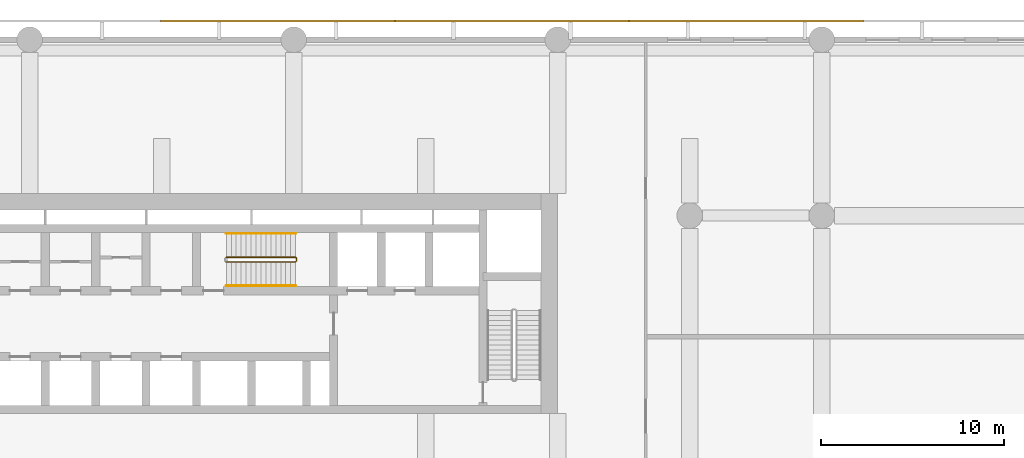
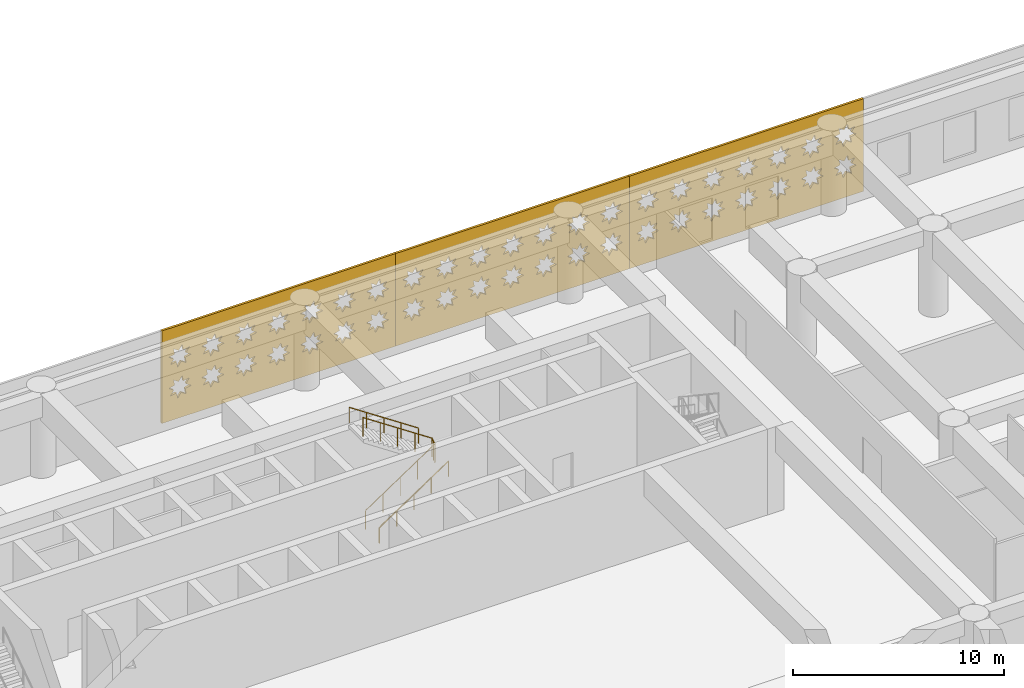
# One storey, part 23 of 24: 3 coverings, 3 railings.
"""IFC4 building model written with IfcOpenShell, lengths in metres."""

from ifc_helpers import new_model, si_unit, direction, frame, origin, origin_2d, place, context, subcontext, project, spatial, polyline, circle, outline, extrude, material, layer, layer_set, type_object, element, save


model = new_model("IFC4")

# Units and contexts
model_context = context("Model", 3, precision=1e-05, world=origin(), true_north=direction((0.0, 1.0)))
body_context = subcontext(model_context, "Body", "Model", "MODEL_VIEW")
ifc_project = project(units=[si_unit("LENGTHUNIT", "METRE"), si_unit("AREAUNIT", "SQUARE_METRE"), si_unit("VOLUMEUNIT", "CUBIC_METRE"), si_unit("PLANEANGLEUNIT", "RADIAN"), si_unit("MASSUNIT", "GRAM", prefix="KILO")], contexts=[model_context])

# Site, building, storey
site_placement = place(None, origin())
site = spatial("IfcSite", under=ifc_project, at=site_placement, CompositionType="ELEMENT")
building_placement = place(site_placement, origin())
building = spatial("IfcBuilding", under=site, at=building_placement, Name="Saffron Iwan Residences", CompositionType="ELEMENT")
storey_placement = place(building_placement, frame((0.0, 0.0, 21.60009765625)))
storey = spatial("IfcBuildingStorey", under=building, at=storey_placement, Name="L04", CompositionType="ELEMENT", Elevation=21.60009765625)

# Coverings
ifc_material_1 = material(Name="Terracotta screen, precast concrete C40/50", Category="masonry")
ifc_layer = layer(ifc_material_1, 0.1201171875)
ifc_layer_set = layer_set([ifc_layer], Name="Terracotta screen, precast concrete C40/50")
covering_type = type_object("IfcCoveringType", Name="PODIUM SCREEN GIRIH", PredefinedType="CLADDING", material=ifc_layer_set)
covering_1_placement = place(storey_placement, frame((88.672607421875, 87.35009765625, -0.400146484375), z_axis=(0.0, 1.0, 0.0), x_axis=(-1.0, 0.0, 0.0)))
element("IfcCovering", 1, at=covering_1_placement, inside=storey, type_object=covering_type, Name="SCREEN girih terracotta L04 F2.1", PredefinedType="CLADDING", context=body_context, shape_type="SweptSolid", body=[
    extrude(outline(polyline([(0.0, 0.0), (12.777587890625, 0.0), (12.777587890625, 5.35009765625), (0.0, 5.35009765625), (0.0, 0.0)]), holes=[polyline([(1.5966796875, 1.89599609375), (1.271484375, 1.9638671875), (1.333251953125, 2.29052734375), (1.05517578125, 2.1083984375), (0.867919921875, 2.383056640625), (0.7998046875, 2.0576171875), (0.47314453125, 2.119384765625), (0.6552734375, 1.84130859375), (0.380615234375, 1.654052734375), (0.7060546875, 1.586181640625), (0.644287109375, 1.259521484375), (0.92236328125, 1.44140625), (1.109619140625, 1.1669921875), (1.177490234375, 1.4921875), (1.50439453125, 1.430419921875), (1.322265625, 1.708740234375), (1.5966796875, 1.89599609375)]), polyline([(1.5966796875, 3.696044921875), (1.271484375, 3.763916015625), (1.333251953125, 4.090576171875), (1.05517578125, 3.908447265625), (0.867919921875, 4.18310546875), (0.7998046875, 3.857666015625), (0.47314453125, 3.91943359375), (0.6552734375, 3.641357421875), (0.380615234375, 3.4541015625), (0.7060546875, 3.385986328125), (0.644287109375, 3.0595703125), (0.92236328125, 3.241455078125), (1.109619140625, 2.966796875), (1.177490234375, 3.292236328125), (1.50439453125, 3.23046875), (1.322265625, 3.5087890625), (1.5966796875, 3.696044921875)]), polyline([(3.396728515625, 1.89599609375), (3.0712890625, 1.9638671875), (3.13330078125, 2.29052734375), (2.85498046875, 2.1083984375), (2.667724609375, 2.383056640625), (2.599853515625, 2.0576171875), (2.273193359375, 2.119384765625), (2.455322265625, 1.84130859375), (2.1806640625, 1.654052734375), (2.506103515625, 1.586181640625), (2.4443359375, 1.259521484375), (2.722412109375, 1.44140625), (2.90966796875, 1.1669921875), (2.9775390625, 1.4921875), (3.30419921875, 1.430419921875), (3.122314453125, 1.708740234375), (3.396728515625, 1.89599609375)]), polyline([(3.396728515625, 3.696044921875), (3.0712890625, 3.763916015625), (3.13330078125, 4.090576171875), (2.85498046875, 3.908447265625), (2.667724609375, 4.18310546875), (2.599853515625, 3.857666015625), (2.273193359375, 3.91943359375), (2.455322265625, 3.641357421875), (2.1806640625, 3.4541015625), (2.506103515625, 3.385986328125), (2.4443359375, 3.0595703125), (2.722412109375, 3.241455078125), (2.90966796875, 2.966796875), (2.9775390625, 3.292236328125), (3.30419921875, 3.23046875), (3.122314453125, 3.5087890625), (3.396728515625, 3.696044921875)]), polyline([(5.19677734375, 1.89599609375), (4.871337890625, 1.9638671875), (4.93310546875, 2.29052734375), (4.655029296875, 2.1083984375), (4.4677734375, 2.383056640625), (4.39990234375, 2.0576171875), (4.0732421875, 2.119384765625), (4.25537109375, 1.84130859375), (3.980712890625, 1.654052734375), (4.30615234375, 1.586181640625), (4.244384765625, 1.259521484375), (4.5224609375, 1.44140625), (4.709716796875, 1.1669921875), (4.777587890625, 1.4921875), (5.104248046875, 1.430419921875), (4.922119140625, 1.708740234375), (5.19677734375, 1.89599609375)]), polyline([(5.19677734375, 3.696044921875), (4.871337890625, 3.763916015625), (4.93310546875, 4.090576171875), (4.655029296875, 3.908447265625), (4.4677734375, 4.18310546875), (4.39990234375, 3.857666015625), (4.0732421875, 3.91943359375), (4.25537109375, 3.641357421875), (3.980712890625, 3.4541015625), (4.30615234375, 3.385986328125), (4.244384765625, 3.0595703125), (4.5224609375, 3.241455078125), (4.709716796875, 2.966796875), (4.777587890625, 3.292236328125), (5.104248046875, 3.23046875), (4.922119140625, 3.5087890625), (5.19677734375, 3.696044921875)]), polyline([(6.996826171875, 1.89599609375), (6.67138671875, 1.9638671875), (6.733154296875, 2.29052734375), (6.455078125, 2.1083984375), (6.267822265625, 2.383056640625), (6.199951171875, 2.0576171875), (5.873291015625, 2.119384765625), (6.055419921875, 1.84130859375), (5.78076171875, 1.654052734375), (6.106201171875, 1.586181640625), (6.044189453125, 1.259521484375), (6.322509765625, 1.44140625), (6.509765625, 1.1669921875), (6.57763671875, 1.4921875), (6.904296875, 1.430419921875), (6.72216796875, 1.708740234375), (6.996826171875, 1.89599609375)]), polyline([(6.996826171875, 3.696044921875), (6.67138671875, 3.763916015625), (6.733154296875, 4.090576171875), (6.455078125, 3.908447265625), (6.267822265625, 4.18310546875), (6.199951171875, 3.857666015625), (5.873291015625, 3.91943359375), (6.055419921875, 3.641357421875), (5.78076171875, 3.4541015625), (6.106201171875, 3.385986328125), (6.044189453125, 3.0595703125), (6.322509765625, 3.241455078125), (6.509765625, 2.966796875), (6.57763671875, 3.292236328125), (6.904296875, 3.23046875), (6.72216796875, 3.5087890625), (6.996826171875, 3.696044921875)]), polyline([(8.796875, 1.89599609375), (8.471435546875, 1.9638671875), (8.533203125, 2.29052734375), (8.255126953125, 2.1083984375), (8.06787109375, 2.383056640625), (8.0, 2.0576171875), (7.673095703125, 2.119384765625), (7.855224609375, 1.84130859375), (7.580810546875, 1.654052734375), (7.906005859375, 1.586181640625), (7.84423828125, 1.259521484375), (8.122314453125, 1.44140625), (8.309814453125, 1.1669921875), (8.377685546875, 1.4921875), (8.704345703125, 1.430419921875), (8.522216796875, 1.708740234375), (8.796875, 1.89599609375)]), polyline([(8.796875, 3.696044921875), (8.471435546875, 3.763916015625), (8.533203125, 4.090576171875), (8.255126953125, 3.908447265625), (8.06787109375, 4.18310546875), (8.0, 3.857666015625), (7.673095703125, 3.91943359375), (7.855224609375, 3.641357421875), (7.580810546875, 3.4541015625), (7.906005859375, 3.385986328125), (7.84423828125, 3.0595703125), (8.122314453125, 3.241455078125), (8.309814453125, 2.966796875), (8.377685546875, 3.292236328125), (8.704345703125, 3.23046875), (8.522216796875, 3.5087890625), (8.796875, 3.696044921875)]), polyline([(10.5966796875, 1.89599609375), (10.271484375, 1.9638671875), (10.333251953125, 2.29052734375), (10.05517578125, 2.1083984375), (9.867919921875, 2.383056640625), (9.7998046875, 2.0576171875), (9.47314453125, 2.119384765625), (9.6552734375, 1.84130859375), (9.380615234375, 1.654052734375), (9.7060546875, 1.586181640625), (9.644287109375, 1.259521484375), (9.92236328125, 1.44140625), (10.109619140625, 1.1669921875), (10.177490234375, 1.4921875), (10.50439453125, 1.430419921875), (10.322265625, 1.708740234375), (10.5966796875, 1.89599609375)]), polyline([(10.5966796875, 3.696044921875), (10.271484375, 3.763916015625), (10.333251953125, 4.090576171875), (10.05517578125, 3.908447265625), (9.867919921875, 4.18310546875), (9.7998046875, 3.857666015625), (9.47314453125, 3.91943359375), (9.6552734375, 3.641357421875), (9.380615234375, 3.4541015625), (9.7060546875, 3.385986328125), (9.644287109375, 3.0595703125), (9.92236328125, 3.241455078125), (10.109619140625, 2.966796875), (10.177490234375, 3.292236328125), (10.50439453125, 3.23046875), (10.322265625, 3.5087890625), (10.5966796875, 3.696044921875)]), polyline([(12.396728515625, 1.89599609375), (12.0712890625, 1.9638671875), (12.13330078125, 2.29052734375), (11.85498046875, 2.1083984375), (11.667724609375, 2.383056640625), (11.599853515625, 2.0576171875), (11.273193359375, 2.119384765625), (11.455322265625, 1.84130859375), (11.1806640625, 1.654052734375), (11.506103515625, 1.586181640625), (11.4443359375, 1.259521484375), (11.722412109375, 1.44140625), (11.90966796875, 1.1669921875), (11.9775390625, 1.4921875), (12.30419921875, 1.430419921875), (12.122314453125, 1.708740234375), (12.396728515625, 1.89599609375)]), polyline([(12.396728515625, 3.696044921875), (12.0712890625, 3.763916015625), (12.13330078125, 4.090576171875), (11.85498046875, 3.908447265625), (11.667724609375, 4.18310546875), (11.599853515625, 3.857666015625), (11.273193359375, 3.91943359375), (11.455322265625, 3.641357421875), (11.1806640625, 3.4541015625), (11.506103515625, 3.385986328125), (11.4443359375, 3.0595703125), (11.722412109375, 3.241455078125), (11.90966796875, 2.966796875), (11.9775390625, 3.292236328125), (12.30419921875, 3.23046875), (12.122314453125, 3.5087890625), (12.396728515625, 3.696044921875)])]), origin(), (0.0, 0.0, 1.0), 0.119873046875),
])
covering_2_placement = place(storey_placement, frame((75.89501953125, 87.35009765625, -0.400146484375), z_axis=(0.0, 1.0, 0.0), x_axis=(-1.0, 0.0, 0.0)))
element("IfcCovering", 2, at=covering_2_placement, inside=storey, type_object=covering_type, Name="SCREEN girih terracotta L04 F2.2", PredefinedType="CLADDING", context=body_context, shape_type="SweptSolid", body=[
    extrude(outline(polyline([(0.0, 0.0), (12.777587890625, 0.0), (12.777587890625, 5.35009765625), (0.0, 5.35009765625), (0.0, 0.0)]), holes=[polyline([(1.5966796875, 1.89599609375), (1.271484375, 1.9638671875), (1.333251953125, 2.29052734375), (1.05517578125, 2.1083984375), (0.867919921875, 2.383056640625), (0.7998046875, 2.0576171875), (0.47314453125, 2.119384765625), (0.6552734375, 1.84130859375), (0.380615234375, 1.654052734375), (0.7060546875, 1.586181640625), (0.644287109375, 1.259521484375), (0.92236328125, 1.44140625), (1.109619140625, 1.1669921875), (1.177490234375, 1.4921875), (1.50439453125, 1.430419921875), (1.322265625, 1.708740234375), (1.5966796875, 1.89599609375)]), polyline([(1.5966796875, 3.696044921875), (1.271484375, 3.763916015625), (1.333251953125, 4.090576171875), (1.05517578125, 3.908447265625), (0.867919921875, 4.18310546875), (0.7998046875, 3.857666015625), (0.47314453125, 3.91943359375), (0.6552734375, 3.641357421875), (0.380615234375, 3.4541015625), (0.7060546875, 3.385986328125), (0.644287109375, 3.0595703125), (0.92236328125, 3.241455078125), (1.109619140625, 2.966796875), (1.177490234375, 3.292236328125), (1.50439453125, 3.23046875), (1.322265625, 3.5087890625), (1.5966796875, 3.696044921875)]), polyline([(3.396728515625, 1.89599609375), (3.0712890625, 1.9638671875), (3.13330078125, 2.29052734375), (2.85498046875, 2.1083984375), (2.667724609375, 2.383056640625), (2.599853515625, 2.0576171875), (2.273193359375, 2.119384765625), (2.455322265625, 1.84130859375), (2.1806640625, 1.654052734375), (2.506103515625, 1.586181640625), (2.4443359375, 1.259521484375), (2.722412109375, 1.44140625), (2.90966796875, 1.1669921875), (2.9775390625, 1.4921875), (3.30419921875, 1.430419921875), (3.122314453125, 1.708740234375), (3.396728515625, 1.89599609375)]), polyline([(3.396728515625, 3.696044921875), (3.0712890625, 3.763916015625), (3.13330078125, 4.090576171875), (2.85498046875, 3.908447265625), (2.667724609375, 4.18310546875), (2.599853515625, 3.857666015625), (2.273193359375, 3.91943359375), (2.455322265625, 3.641357421875), (2.1806640625, 3.4541015625), (2.506103515625, 3.385986328125), (2.4443359375, 3.0595703125), (2.722412109375, 3.241455078125), (2.90966796875, 2.966796875), (2.9775390625, 3.292236328125), (3.30419921875, 3.23046875), (3.122314453125, 3.5087890625), (3.396728515625, 3.696044921875)]), polyline([(5.19677734375, 1.89599609375), (4.871337890625, 1.9638671875), (4.93310546875, 2.29052734375), (4.655029296875, 2.1083984375), (4.4677734375, 2.383056640625), (4.39990234375, 2.0576171875), (4.0732421875, 2.119384765625), (4.25537109375, 1.84130859375), (3.980712890625, 1.654052734375), (4.30615234375, 1.586181640625), (4.244384765625, 1.259521484375), (4.5224609375, 1.44140625), (4.709716796875, 1.1669921875), (4.777587890625, 1.4921875), (5.104248046875, 1.430419921875), (4.922119140625, 1.708740234375), (5.19677734375, 1.89599609375)]), polyline([(5.19677734375, 3.696044921875), (4.871337890625, 3.763916015625), (4.93310546875, 4.090576171875), (4.655029296875, 3.908447265625), (4.4677734375, 4.18310546875), (4.39990234375, 3.857666015625), (4.0732421875, 3.91943359375), (4.25537109375, 3.641357421875), (3.980712890625, 3.4541015625), (4.30615234375, 3.385986328125), (4.244384765625, 3.0595703125), (4.5224609375, 3.241455078125), (4.709716796875, 2.966796875), (4.777587890625, 3.292236328125), (5.104248046875, 3.23046875), (4.922119140625, 3.5087890625), (5.19677734375, 3.696044921875)]), polyline([(6.996826171875, 1.89599609375), (6.67138671875, 1.9638671875), (6.733154296875, 2.29052734375), (6.455078125, 2.1083984375), (6.267822265625, 2.383056640625), (6.199951171875, 2.0576171875), (5.873291015625, 2.119384765625), (6.055419921875, 1.84130859375), (5.78076171875, 1.654052734375), (6.106201171875, 1.586181640625), (6.044189453125, 1.259521484375), (6.322509765625, 1.44140625), (6.509765625, 1.1669921875), (6.57763671875, 1.4921875), (6.904296875, 1.430419921875), (6.72216796875, 1.708740234375), (6.996826171875, 1.89599609375)]), polyline([(6.996826171875, 3.696044921875), (6.67138671875, 3.763916015625), (6.733154296875, 4.090576171875), (6.455078125, 3.908447265625), (6.267822265625, 4.18310546875), (6.199951171875, 3.857666015625), (5.873291015625, 3.91943359375), (6.055419921875, 3.641357421875), (5.78076171875, 3.4541015625), (6.106201171875, 3.385986328125), (6.044189453125, 3.0595703125), (6.322509765625, 3.241455078125), (6.509765625, 2.966796875), (6.57763671875, 3.292236328125), (6.904296875, 3.23046875), (6.72216796875, 3.5087890625), (6.996826171875, 3.696044921875)]), polyline([(8.796875, 1.89599609375), (8.471435546875, 1.9638671875), (8.533203125, 2.29052734375), (8.255126953125, 2.1083984375), (8.06787109375, 2.383056640625), (8.0, 2.0576171875), (7.673095703125, 2.119384765625), (7.855224609375, 1.84130859375), (7.580810546875, 1.654052734375), (7.906005859375, 1.586181640625), (7.84423828125, 1.259521484375), (8.122314453125, 1.44140625), (8.309814453125, 1.1669921875), (8.377685546875, 1.4921875), (8.704345703125, 1.430419921875), (8.522216796875, 1.708740234375), (8.796875, 1.89599609375)]), polyline([(8.796875, 3.696044921875), (8.471435546875, 3.763916015625), (8.533203125, 4.090576171875), (8.255126953125, 3.908447265625), (8.06787109375, 4.18310546875), (8.0, 3.857666015625), (7.673095703125, 3.91943359375), (7.855224609375, 3.641357421875), (7.580810546875, 3.4541015625), (7.906005859375, 3.385986328125), (7.84423828125, 3.0595703125), (8.122314453125, 3.241455078125), (8.309814453125, 2.966796875), (8.377685546875, 3.292236328125), (8.704345703125, 3.23046875), (8.522216796875, 3.5087890625), (8.796875, 3.696044921875)]), polyline([(10.5966796875, 1.89599609375), (10.271484375, 1.9638671875), (10.333251953125, 2.29052734375), (10.05517578125, 2.1083984375), (9.867919921875, 2.383056640625), (9.7998046875, 2.0576171875), (9.47314453125, 2.119384765625), (9.6552734375, 1.84130859375), (9.380615234375, 1.654052734375), (9.7060546875, 1.586181640625), (9.644287109375, 1.259521484375), (9.92236328125, 1.44140625), (10.109619140625, 1.1669921875), (10.177490234375, 1.4921875), (10.50439453125, 1.430419921875), (10.322265625, 1.708740234375), (10.5966796875, 1.89599609375)]), polyline([(10.5966796875, 3.696044921875), (10.271484375, 3.763916015625), (10.333251953125, 4.090576171875), (10.05517578125, 3.908447265625), (9.867919921875, 4.18310546875), (9.7998046875, 3.857666015625), (9.47314453125, 3.91943359375), (9.6552734375, 3.641357421875), (9.380615234375, 3.4541015625), (9.7060546875, 3.385986328125), (9.644287109375, 3.0595703125), (9.92236328125, 3.241455078125), (10.109619140625, 2.966796875), (10.177490234375, 3.292236328125), (10.50439453125, 3.23046875), (10.322265625, 3.5087890625), (10.5966796875, 3.696044921875)]), polyline([(12.396728515625, 1.89599609375), (12.0712890625, 1.9638671875), (12.13330078125, 2.29052734375), (11.85498046875, 2.1083984375), (11.667724609375, 2.383056640625), (11.599853515625, 2.0576171875), (11.273193359375, 2.119384765625), (11.455322265625, 1.84130859375), (11.1806640625, 1.654052734375), (11.506103515625, 1.586181640625), (11.4443359375, 1.259521484375), (11.722412109375, 1.44140625), (11.90966796875, 1.1669921875), (11.9775390625, 1.4921875), (12.30419921875, 1.430419921875), (12.122314453125, 1.708740234375), (12.396728515625, 1.89599609375)]), polyline([(12.396728515625, 3.696044921875), (12.0712890625, 3.763916015625), (12.13330078125, 4.090576171875), (11.85498046875, 3.908447265625), (11.667724609375, 4.18310546875), (11.599853515625, 3.857666015625), (11.273193359375, 3.91943359375), (11.455322265625, 3.641357421875), (11.1806640625, 3.4541015625), (11.506103515625, 3.385986328125), (11.4443359375, 3.0595703125), (11.722412109375, 3.241455078125), (11.90966796875, 2.966796875), (11.9775390625, 3.292236328125), (12.30419921875, 3.23046875), (12.122314453125, 3.5087890625), (12.396728515625, 3.696044921875)])]), origin(), (0.0, 0.0, 1.0), 0.119873046875),
])
covering_3_placement = place(storey_placement, frame((63.117431640625, 87.35009765625, -0.400146484375), z_axis=(0.0, 1.0, 0.0), x_axis=(-1.0, 0.0, 0.0)))
element("IfcCovering", 3, at=covering_3_placement, inside=storey, type_object=covering_type, Name="SCREEN girih terracotta L04 F2.3", PredefinedType="CLADDING", context=body_context, shape_type="SweptSolid", body=[
    extrude(outline(polyline([(0.0, 0.0), (12.777587890625, 0.0), (12.777587890625, 5.35009765625), (0.0, 5.35009765625), (0.0, 0.0)]), holes=[polyline([(1.5966796875, 1.89599609375), (1.271484375, 1.9638671875), (1.333251953125, 2.29052734375), (1.05517578125, 2.1083984375), (0.867919921875, 2.383056640625), (0.7998046875, 2.0576171875), (0.47314453125, 2.119384765625), (0.6552734375, 1.84130859375), (0.380615234375, 1.654052734375), (0.7060546875, 1.586181640625), (0.644287109375, 1.259521484375), (0.92236328125, 1.44140625), (1.109619140625, 1.1669921875), (1.177490234375, 1.4921875), (1.50439453125, 1.430419921875), (1.322265625, 1.708740234375), (1.5966796875, 1.89599609375)]), polyline([(1.5966796875, 3.696044921875), (1.271484375, 3.763916015625), (1.333251953125, 4.090576171875), (1.05517578125, 3.908447265625), (0.867919921875, 4.18310546875), (0.7998046875, 3.857666015625), (0.47314453125, 3.91943359375), (0.6552734375, 3.641357421875), (0.380615234375, 3.4541015625), (0.7060546875, 3.385986328125), (0.644287109375, 3.0595703125), (0.92236328125, 3.241455078125), (1.109619140625, 2.966796875), (1.177490234375, 3.292236328125), (1.50439453125, 3.23046875), (1.322265625, 3.5087890625), (1.5966796875, 3.696044921875)]), polyline([(3.396728515625, 1.89599609375), (3.0712890625, 1.9638671875), (3.13330078125, 2.29052734375), (2.85498046875, 2.1083984375), (2.667724609375, 2.383056640625), (2.599853515625, 2.0576171875), (2.273193359375, 2.119384765625), (2.455322265625, 1.84130859375), (2.1806640625, 1.654052734375), (2.506103515625, 1.586181640625), (2.4443359375, 1.259521484375), (2.722412109375, 1.44140625), (2.90966796875, 1.1669921875), (2.9775390625, 1.4921875), (3.30419921875, 1.430419921875), (3.122314453125, 1.708740234375), (3.396728515625, 1.89599609375)]), polyline([(3.396728515625, 3.696044921875), (3.0712890625, 3.763916015625), (3.13330078125, 4.090576171875), (2.85498046875, 3.908447265625), (2.667724609375, 4.18310546875), (2.599853515625, 3.857666015625), (2.273193359375, 3.91943359375), (2.455322265625, 3.641357421875), (2.1806640625, 3.4541015625), (2.506103515625, 3.385986328125), (2.4443359375, 3.0595703125), (2.722412109375, 3.241455078125), (2.90966796875, 2.966796875), (2.9775390625, 3.292236328125), (3.30419921875, 3.23046875), (3.122314453125, 3.5087890625), (3.396728515625, 3.696044921875)]), polyline([(5.19677734375, 1.89599609375), (4.871337890625, 1.9638671875), (4.93310546875, 2.29052734375), (4.655029296875, 2.1083984375), (4.4677734375, 2.383056640625), (4.39990234375, 2.0576171875), (4.0732421875, 2.119384765625), (4.25537109375, 1.84130859375), (3.980712890625, 1.654052734375), (4.30615234375, 1.586181640625), (4.244384765625, 1.259521484375), (4.5224609375, 1.44140625), (4.709716796875, 1.1669921875), (4.777587890625, 1.4921875), (5.104248046875, 1.430419921875), (4.922119140625, 1.708740234375), (5.19677734375, 1.89599609375)]), polyline([(5.19677734375, 3.696044921875), (4.871337890625, 3.763916015625), (4.93310546875, 4.090576171875), (4.655029296875, 3.908447265625), (4.4677734375, 4.18310546875), (4.39990234375, 3.857666015625), (4.0732421875, 3.91943359375), (4.25537109375, 3.641357421875), (3.980712890625, 3.4541015625), (4.30615234375, 3.385986328125), (4.244384765625, 3.0595703125), (4.5224609375, 3.241455078125), (4.709716796875, 2.966796875), (4.777587890625, 3.292236328125), (5.104248046875, 3.23046875), (4.922119140625, 3.5087890625), (5.19677734375, 3.696044921875)]), polyline([(6.996826171875, 1.89599609375), (6.67138671875, 1.9638671875), (6.733154296875, 2.29052734375), (6.455078125, 2.1083984375), (6.267822265625, 2.383056640625), (6.199951171875, 2.0576171875), (5.873291015625, 2.119384765625), (6.055419921875, 1.84130859375), (5.78076171875, 1.654052734375), (6.106201171875, 1.586181640625), (6.044189453125, 1.259521484375), (6.322509765625, 1.44140625), (6.509765625, 1.1669921875), (6.57763671875, 1.4921875), (6.904296875, 1.430419921875), (6.72216796875, 1.708740234375), (6.996826171875, 1.89599609375)]), polyline([(6.996826171875, 3.696044921875), (6.67138671875, 3.763916015625), (6.733154296875, 4.090576171875), (6.455078125, 3.908447265625), (6.267822265625, 4.18310546875), (6.199951171875, 3.857666015625), (5.873291015625, 3.91943359375), (6.055419921875, 3.641357421875), (5.78076171875, 3.4541015625), (6.106201171875, 3.385986328125), (6.044189453125, 3.0595703125), (6.322509765625, 3.241455078125), (6.509765625, 2.966796875), (6.57763671875, 3.292236328125), (6.904296875, 3.23046875), (6.72216796875, 3.5087890625), (6.996826171875, 3.696044921875)]), polyline([(8.796875, 1.89599609375), (8.471435546875, 1.9638671875), (8.533203125, 2.29052734375), (8.255126953125, 2.1083984375), (8.06787109375, 2.383056640625), (8.0, 2.0576171875), (7.673095703125, 2.119384765625), (7.855224609375, 1.84130859375), (7.580810546875, 1.654052734375), (7.906005859375, 1.586181640625), (7.84423828125, 1.259521484375), (8.122314453125, 1.44140625), (8.309814453125, 1.1669921875), (8.377685546875, 1.4921875), (8.704345703125, 1.430419921875), (8.522216796875, 1.708740234375), (8.796875, 1.89599609375)]), polyline([(8.796875, 3.696044921875), (8.471435546875, 3.763916015625), (8.533203125, 4.090576171875), (8.255126953125, 3.908447265625), (8.06787109375, 4.18310546875), (8.0, 3.857666015625), (7.673095703125, 3.91943359375), (7.855224609375, 3.641357421875), (7.580810546875, 3.4541015625), (7.906005859375, 3.385986328125), (7.84423828125, 3.0595703125), (8.122314453125, 3.241455078125), (8.309814453125, 2.966796875), (8.377685546875, 3.292236328125), (8.704345703125, 3.23046875), (8.522216796875, 3.5087890625), (8.796875, 3.696044921875)]), polyline([(10.5966796875, 1.89599609375), (10.271484375, 1.9638671875), (10.333251953125, 2.29052734375), (10.05517578125, 2.1083984375), (9.867919921875, 2.383056640625), (9.7998046875, 2.0576171875), (9.47314453125, 2.119384765625), (9.6552734375, 1.84130859375), (9.380615234375, 1.654052734375), (9.7060546875, 1.586181640625), (9.644287109375, 1.259521484375), (9.92236328125, 1.44140625), (10.109619140625, 1.1669921875), (10.177490234375, 1.4921875), (10.50439453125, 1.430419921875), (10.322265625, 1.708740234375), (10.5966796875, 1.89599609375)]), polyline([(10.5966796875, 3.696044921875), (10.271484375, 3.763916015625), (10.333251953125, 4.090576171875), (10.05517578125, 3.908447265625), (9.867919921875, 4.18310546875), (9.7998046875, 3.857666015625), (9.47314453125, 3.91943359375), (9.6552734375, 3.641357421875), (9.380615234375, 3.4541015625), (9.7060546875, 3.385986328125), (9.644287109375, 3.0595703125), (9.92236328125, 3.241455078125), (10.109619140625, 2.966796875), (10.177490234375, 3.292236328125), (10.50439453125, 3.23046875), (10.322265625, 3.5087890625), (10.5966796875, 3.696044921875)]), polyline([(12.396728515625, 1.89599609375), (12.0712890625, 1.9638671875), (12.13330078125, 2.29052734375), (11.85498046875, 2.1083984375), (11.667724609375, 2.383056640625), (11.599853515625, 2.0576171875), (11.273193359375, 2.119384765625), (11.455322265625, 1.84130859375), (11.1806640625, 1.654052734375), (11.506103515625, 1.586181640625), (11.4443359375, 1.259521484375), (11.722412109375, 1.44140625), (11.90966796875, 1.1669921875), (11.9775390625, 1.4921875), (12.30419921875, 1.430419921875), (12.122314453125, 1.708740234375), (12.396728515625, 1.89599609375)]), polyline([(12.396728515625, 3.696044921875), (12.0712890625, 3.763916015625), (12.13330078125, 4.090576171875), (11.85498046875, 3.908447265625), (11.667724609375, 4.18310546875), (11.599853515625, 3.857666015625), (11.273193359375, 3.91943359375), (11.455322265625, 3.641357421875), (11.1806640625, 3.4541015625), (11.506103515625, 3.385986328125), (11.4443359375, 3.0595703125), (11.722412109375, 3.241455078125), (11.90966796875, 2.966796875), (11.9775390625, 3.292236328125), (12.30419921875, 3.23046875), (12.122314453125, 3.5087890625), (12.396728515625, 3.696044921875)])]), origin(), (0.0, 0.0, 1.0), 0.119873046875),
])

# Railings
ifc_material_2 = material(Name="Steel S355", Category="steel")
railing_type_1 = type_object("IfcRailingType", Name="Stair guard 1100", PredefinedType="GUARDRAIL", material=ifc_material_2)
railing_1_placement = place(storey_placement, frame((53.925048828125, 74.27490234375, 0.179931640625)))
element("IfcRailing", 4, at=railing_1_placement, inside=storey, type_object=railing_type_1, Name="L04 ST-C stair guard 1", PredefinedType="GUARDRAIL", context=body_context, shape_type="SweptSolid", body=[
    extrude(circle(Radius=0.02392578125, at=origin_2d()), frame((0.0, 0.0, 1.076171875), z_axis=(0.832050294338, 0.0, 0.554700196225), x_axis=(0.0, 1.0, 0.0)), (0.0, 0.0, 1.0), 4.54296875),
    extrude(circle(Radius=0.02392578125, at=origin_2d()), frame((3.780029296875, 0.0, 3.59619140625), z_axis=(0.705375805398, 0.708833529934, 0.0), x_axis=(-0.708833529934, 0.705375805398, 0.0)), (0.0, 0.0, 1.0), 0.070556640625),
    extrude(circle(Radius=0.02392578125, at=origin_2d()), frame((3.829833984375, 0.050048828125, 3.59619140625), z_axis=(0.0, 1.0, 0.0), x_axis=(-1.0, 0.0, 0.0)), (0.0, 0.0, 1.0), 0.150146484375),
    extrude(circle(Radius=0.02392578125, at=origin_2d()), frame((3.829833984375, 0.2001953125, 3.59619140625), z_axis=(-0.257753129075, 0.257753129075, 0.931196353571), x_axis=(-0.707106781187, -0.707106781187, 0.0)), (0.0, 0.0, 1.0), 0.193115234375),
    extrude(circle(Radius=0.02392578125, at=origin_2d()), frame((3.780029296875, 0.25, 3.77587890625), z_axis=(-0.832050294338, 0.0, 0.554700196225), x_axis=(0.0, -1.0, 0.0)), (0.0, 0.0, 1.0), 4.54296875),
    extrude(circle(Radius=0.02099609375, at=origin_2d()), origin(), (0.0, 0.0, 1.0), 1.052001953125),
    extrude(circle(Radius=0.02099609375, at=origin_2d()), frame((0.945068359375, 0.0, 0.6298828125)), (0.0, 0.0, 1.0), 1.052001953125),
    extrude(circle(Radius=0.02099609375, at=origin_2d()), frame((1.89013671875, 0.0, 1.260009765625)), (0.0, 0.0, 1.0), 1.052001953125),
    extrude(circle(Radius=0.02099609375, at=origin_2d()), frame((2.8349609375, 0.0, 1.89013671875)), (0.0, 0.0, 1.0), 1.052001953125),
    extrude(circle(Radius=0.02099609375, at=origin_2d()), frame((3.780029296875, 0.0, 2.52001953125)), (0.0, 0.0, 1.0), 1.052001953125),
    extrude(circle(Radius=0.02099609375, at=origin_2d()), frame((3.829833984375, 0.050048828125, 2.52001953125)), (0.0, 0.0, 1.0), 1.052001953125),
    extrude(circle(Radius=0.02099609375, at=origin_2d()), frame((3.829833984375, 0.2001953125, 2.52001953125)), (0.0, 0.0, 1.0), 1.052001953125),
    extrude(circle(Radius=0.02099609375, at=origin_2d()), frame((3.780029296875, 0.25, 2.699951171875)), (0.0, 0.0, 1.0), 1.052001953125),
    extrude(circle(Radius=0.02099609375, at=origin_2d()), frame((2.8349609375, 0.25, 3.330078125)), (0.0, 0.0, 1.0), 1.052001953125),
    extrude(circle(Radius=0.02099609375, at=origin_2d()), frame((1.89013671875, 0.25, 3.9599609375)), (0.0, 0.0, 1.0), 1.052001953125),
    extrude(circle(Radius=0.02099609375, at=origin_2d()), frame((0.945068359375, 0.25, 4.58984375)), (0.0, 0.0, 1.0), 1.052001953125),
    extrude(circle(Radius=0.02099609375, at=origin_2d()), frame((0.0, 0.25, 5.219970703125)), (0.0, 0.0, 1.0), 1.052001953125),
])
ifc_material_3 = material(Name="Stainless steel 316", Category="steel")
railing_type_2 = type_object("IfcRailingType", Name="Stair handrail 900", PredefinedType="HANDRAIL", material=ifc_material_3)
railing_2_placement = place(storey_placement, frame((53.925048828125, 72.97509765625, 0.179931640625)))
element("IfcRailing", 5, at=railing_2_placement, inside=storey, type_object=railing_type_2, Name="L04 ST-C stair handrail 1", PredefinedType="HANDRAIL", context=body_context, shape_type="SweptSolid", body=[
    extrude(circle(Radius=0.02392578125, at=origin_2d()), frame((0.0, 0.0, 0.8759765625), z_axis=(0.832050294338, 0.0, 0.554700196225), x_axis=(0.0, 1.0, 0.0)), (0.0, 0.0, 1.0), 4.54296875),
    extrude(circle(Radius=0.02099609375, at=origin_2d()), origin(), (0.0, 0.0, 1.0), 0.851806640625),
    extrude(circle(Radius=0.02099609375, at=origin_2d()), frame((0.945068359375, 0.0, 0.6298828125)), (0.0, 0.0, 1.0), 0.851806640625),
    extrude(circle(Radius=0.02099609375, at=origin_2d()), frame((1.89013671875, 0.0, 1.260009765625)), (0.0, 0.0, 1.0), 0.851806640625),
    extrude(circle(Radius=0.02099609375, at=origin_2d()), frame((2.8349609375, 0.0, 1.89013671875)), (0.0, 0.0, 1.0), 0.851806640625),
    extrude(circle(Radius=0.02099609375, at=origin_2d()), frame((3.780029296875, 0.0, 2.52001953125)), (0.0, 0.0, 1.0), 0.851806640625),
])
railing_3_placement = place(storey_placement, frame((57.705078125, 75.824951171875, 2.8798828125)))
element("IfcRailing", 6, at=railing_3_placement, inside=storey, type_object=railing_type_2, Name="L04 ST-C stair handrail 2", PredefinedType="HANDRAIL", context=body_context, shape_type="SweptSolid", body=[
    extrude(circle(Radius=0.02392578125, at=origin_2d()), frame((0.0, 0.0, 0.8759765625), z_axis=(-0.832050294338, 0.0, 0.554700196225), x_axis=(0.0, -1.0, 0.0)), (0.0, 0.0, 1.0), 4.54296875),
    extrude(circle(Radius=0.02099609375, at=origin_2d()), origin(), (0.0, 0.0, 1.0), 0.851806640625),
    extrude(circle(Radius=0.02099609375, at=origin_2d()), frame((-0.945068359375, 0.0, 0.6298828125)), (0.0, 0.0, 1.0), 0.851806640625),
    extrude(circle(Radius=0.02099609375, at=origin_2d()), frame((-1.89013671875, 0.0, 1.260009765625)), (0.0, 0.0, 1.0), 0.851806640625),
    extrude(circle(Radius=0.02099609375, at=origin_2d()), frame((-2.8349609375, 0.0, 1.89013671875)), (0.0, 0.0, 1.0), 0.851806640625),
    extrude(circle(Radius=0.02099609375, at=origin_2d()), frame((-3.780029296875, 0.0, 2.52001953125)), (0.0, 0.0, 1.0), 0.851806640625),
])

save(model, "model.ifc")
